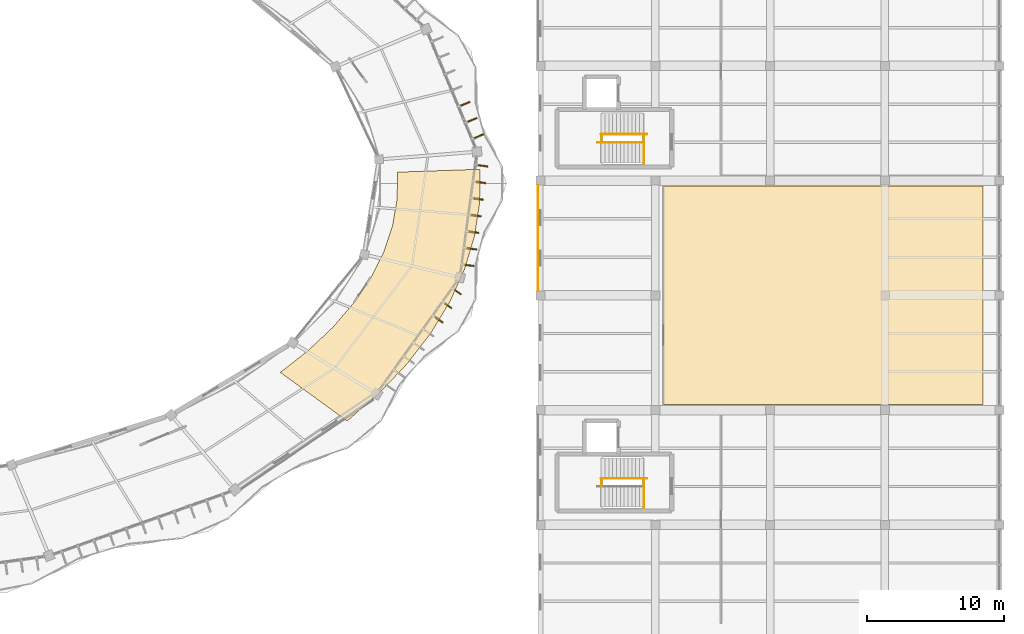
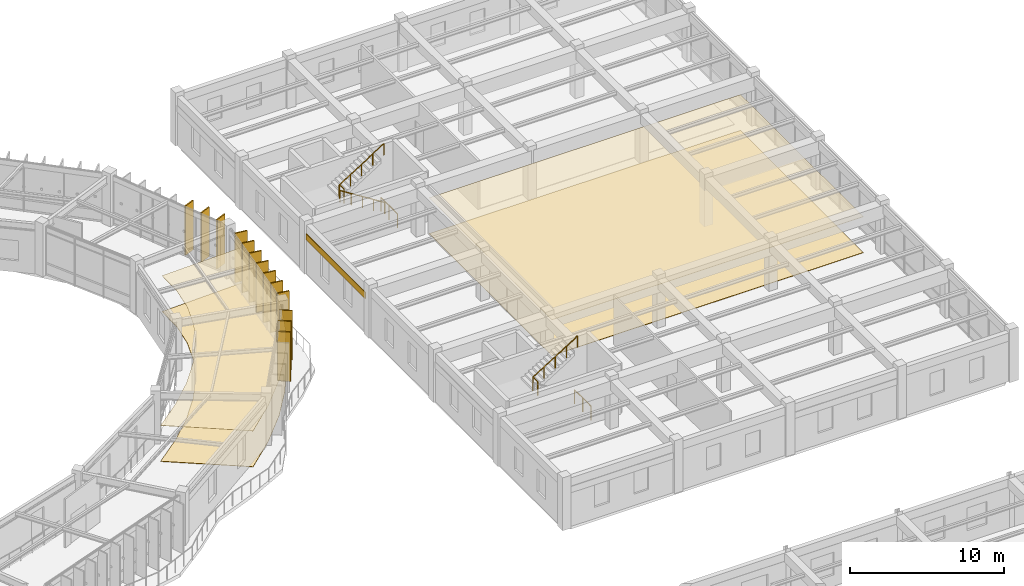
# One storey, part 137 of 138: 13 shading devices, 7 railings, 5 coverings.
"""IFC4 building model written with IfcOpenShell, lengths in metres."""

import ifcopenshell
import ifcopenshell.guid

model = None  # the IFC model being written
_history = None  # IfcOwnerHistory: only IFC2X3 demands one
_inside = {}  # id of a spatial element -> (the spatial element, [elements in it])
_under = {}  # id of a project, library or spatial element -> (it, [spatial elements below it])
_declared = {}  # id of a project -> (the project, [libraries it declares])
_typed = {}  # id of a type object -> (the type object, [elements of that type])
_made_of = {}  # id of a material, layer set ... -> (it, [elements and type objects made of it])


def new_model(schema):
    """Start an empty IFC model of exactly this schema.

    Asked for "IFC4X3", IfcOpenShell would pick the latest addendum, in which some entities
    have other attributes; the version numbers below select the first issue.
    IFC2X3 requires an IfcOwnerHistory on every rooted entity: one is made here for all.
    """
    global model, _history
    if schema == "IFC4X3":
        model = ifcopenshell.file(schema_version=(4, 3, 0, 0))
    else:
        model = ifcopenshell.file(schema=schema)
    _inside.clear()
    _under.clear()
    _declared.clear()
    _typed.clear()
    _made_of.clear()
    _history = None
    if model.schema == "IFC2X3":
        org = make("IfcOrganization", Name="unknown")
        user = make(
            "IfcPersonAndOrganization",
            ThePerson=make("IfcPerson", FamilyName="unknown"),
            TheOrganization=org,
        )
        app = make(
            "IfcApplication",
            ApplicationDeveloper=org,
            Version="unknown",
            ApplicationFullName="unknown",
            ApplicationIdentifier="unknown",
        )
        _history = make(
            "IfcOwnerHistory",
            OwningUser=user,
            OwningApplication=app,
            ChangeAction="ADDED",
            CreationDate=0,
        )
    return model


def make(cls, **values):
    """One entity of the class cls with the attributes given. An attribute that is None is left unset."""
    return model.create_entity(
        cls, **{name: value for name, value in values.items() if value is not None}
    )


def rooted(cls, **values):
    """An entity with a GlobalId (a new one), such as an element, a storey or a relation."""
    return make(cls, GlobalId=ifcopenshell.guid.new(), OwnerHistory=_history, **values)


def si_unit(unit_type, name, prefix=None):
    """IfcSIUnit, for example si_unit("LENGTHUNIT", "METRE", prefix="MILLI")."""
    return make("IfcSIUnit", UnitType=unit_type, Prefix=prefix, Name=name)


def assignment(units):
    """IfcUnitAssignment: the units of a project."""
    return None if units is None else make("IfcUnitAssignment", Units=units)


def point(xyz):
    """IfcCartesianPoint."""
    return None if xyz is None else make("IfcCartesianPoint", Coordinates=xyz)


def direction(xyz):
    """IfcDirection."""
    return None if xyz is None else make("IfcDirection", DirectionRatios=xyz)


def frame(location, z_axis=None, x_axis=None):
    """IfcAxis2Placement3D, a coordinate frame: its origin and axes. An axis left out is left unset."""
    return make(
        "IfcAxis2Placement3D",
        Location=point(location),
        Axis=direction(z_axis),
        RefDirection=direction(x_axis),
    )


def frame_2d(location, x_axis=None):
    """IfcAxis2Placement2D, a coordinate frame in the plane: its origin and x axis."""
    return make(
        "IfcAxis2Placement2D", Location=point(location), RefDirection=direction(x_axis)
    )


def origin():
    """The frame at (0, 0, 0) with its axes left unset."""
    return frame((0.0, 0.0, 0.0))


def origin_2d():
    """The frame at (0, 0) in the plane with its x axis left unset."""
    return frame_2d((0.0, 0.0))


def place(relative_to, where):
    """IfcLocalPlacement: puts the frame where relative to a parent placement (None: the world)."""
    return make(
        "IfcLocalPlacement", PlacementRelTo=relative_to, RelativePlacement=where
    )


def context(
    kind, dimensions, precision=None, world=None, true_north=None, identifier=None
):
    """IfcGeometricRepresentationContext, for example the 3D "Model" context."""
    return make(
        "IfcGeometricRepresentationContext",
        ContextIdentifier=identifier,
        ContextType=kind,
        CoordinateSpaceDimension=dimensions,
        Precision=precision,
        WorldCoordinateSystem=world,
        TrueNorth=true_north,
    )


def subcontext(parent, identifier, kind, view, scale=None):
    """IfcGeometricRepresentationSubContext, for example "Body" below "Model"."""
    return make(
        "IfcGeometricRepresentationSubContext",
        ContextIdentifier=identifier,
        ContextType=kind,
        ParentContext=parent,
        TargetScale=scale,
        TargetView=view,
    )


def project(units=None, contexts=None):
    """IfcProject with its units and contexts."""
    return rooted(
        "IfcProject",
        Name="project",
        RepresentationContexts=contexts,
        UnitsInContext=assignment(units),
    )


def spatial(cls, under=None, at=None, **own):
    """A site, building, storey or space (cls), placed at a placement, below another one or the project."""
    s = rooted(cls, ObjectPlacement=at, **own)
    if under is not None:
        _under.setdefault(under.id(), (under, []))[1].append(s)
    return s


def polyline(points):
    """IfcPolyline through the points."""
    return make("IfcPolyline", Points=[point(p) for p in points])


def profile(cls, at=None, kind="AREA", **sizes):
    """A parametric profile (cls). Its sizes go by their IFC names, for example OverallWidth=200.0."""
    return make(cls, ProfileType=kind, Position=at, **sizes)


def rectangle(**sizes):
    """IfcRectangleProfileDef."""
    return profile("IfcRectangleProfileDef", **sizes)


def circle(**sizes):
    """IfcCircleProfileDef."""
    return profile("IfcCircleProfileDef", **sizes)


def outline(outer, holes=None, kind="AREA"):
    """IfcArbitraryClosedProfileDef: a profile drawn as a closed curve; with holes, ...WithVoids."""
    if holes is None:
        return make("IfcArbitraryClosedProfileDef", ProfileType=kind, OuterCurve=outer)
    return make(
        "IfcArbitraryProfileDefWithVoids",
        ProfileType=kind,
        OuterCurve=outer,
        InnerCurves=holes,
    )


def extrude(swept, where, along, depth):
    """IfcExtrudedAreaSolid: the profile swept, set in the frame where, extruded along a direction by depth."""
    return make(
        "IfcExtrudedAreaSolid",
        SweptArea=swept,
        Position=where,
        ExtrudedDirection=direction(along),
        Depth=depth,
    )


def shape(context_of_items, identifier, shape_type, items):
    """IfcShapeRepresentation: the items that make up one representation, for example the "Body"."""
    return make(
        "IfcShapeRepresentation",
        ContextOfItems=context_of_items,
        RepresentationIdentifier=identifier,
        RepresentationType=shape_type,
        Items=items,
    )


def material(Name=None, Category=None):
    """IfcMaterial."""
    return make("IfcMaterial", Name=Name, Category=Category)


def layer(
    of_material, thickness, ventilated=None, Name=None, Category=None, Priority=None
):
    """IfcMaterialLayer: one layer of a wall or slab, of a material (None: an air gap)."""
    return make(
        "IfcMaterialLayer",
        Material=of_material,
        LayerThickness=thickness,
        IsVentilated=ventilated,
        Name=Name,
        Category=Category,
        Priority=Priority,
    )


def layer_set(layers, Name=None):
    """IfcMaterialLayerSet."""
    return make("IfcMaterialLayerSet", MaterialLayers=layers, LayerSetName=Name)


def made_of(thing, what):
    """Note that an element or type object is made of a material, layer set ...; save() writes the relation."""
    if what is not None:
        _made_of.setdefault(what.id(), (what, []))[1].append(thing)
    return thing


def type_object(cls, material=None, **own):
    """A type object (cls), such as IfcWallType, which elements share."""
    return made_of(rooted(cls, **own), material)


def element(
    cls,
    number,
    at=None,
    inside=None,
    cuts=None,
    type_object=None,
    material=None,
    context=None,
    identifier="Body",
    shape_type=None,
    held_by="IfcProductDefinitionShape",
    body=None,
    shapes=None,
    **own,
):
    """One element of the class cls, such as IfcWall. Its Tag is "e" and its number.

    at: its placement. inside: the storey or other place that contains it. cuts: it is an
    opening in that element (IfcRelVoidsElement). A single representation is given by context,
    identifier, shape_type and body (its items); several are given by shapes. held_by: the class
    of the entity that holds the representations. save() writes the other relations.
    """
    e = rooted(cls, Tag="e%d" % number, ObjectPlacement=at, **own)
    if body is not None:
        shapes = [shape(context, identifier, shape_type, body)]
    if shapes is not None:
        e.Representation = make(held_by, Representations=shapes)
    if inside is not None:
        _inside.setdefault(inside.id(), (inside, []))[1].append(e)
    if cuts is not None:
        rooted(
            "IfcRelVoidsElement", RelatingBuildingElement=cuts, RelatedOpeningElement=e
        )
    if type_object is not None:
        _typed.setdefault(type_object.id(), (type_object, []))[1].append(e)
    return made_of(e, material)


def aggregate(whole, parts):
    """IfcRelAggregates: a whole, such as a stair, and the parts it consists of."""
    return rooted("IfcRelAggregates", RelatingObject=whole, RelatedObjects=parts)


def save(model, path):
    """Write the relations noted so far, then the file.

    IfcRelAggregates (storeys below a building ...), IfcRelContainedInSpatialStructure (elements
    in a storey), IfcRelDefinesByType, IfcRelAssociatesMaterial and IfcRelDeclares: one each for
    every whole, place, type object, material and project.
    """
    for whole, parts in _under.values():
        aggregate(whole, parts)
    for where, things in _inside.values():
        rooted(
            "IfcRelContainedInSpatialStructure",
            RelatedElements=things,
            RelatingStructure=where,
        )
    for kind, things in _typed.values():
        rooted("IfcRelDefinesByType", RelatedObjects=things, RelatingType=kind)
    for what, things in _made_of.values():
        rooted("IfcRelAssociatesMaterial", RelatedObjects=things, RelatingMaterial=what)
    for by, libraries in _declared.values():
        rooted("IfcRelDeclares", RelatingContext=by, RelatedDefinitions=libraries)
    model.write(path)


model = new_model("IFC4")

# Units and contexts
model_context = context("Model", 3, precision=1e-05, world=origin(), true_north=direction((0.0, 1.0)))
body_context = subcontext(model_context, "Body", "Model", "MODEL_VIEW")
ifc_project = project(units=[si_unit("LENGTHUNIT", "METRE"), si_unit("AREAUNIT", "SQUARE_METRE"), si_unit("VOLUMEUNIT", "CUBIC_METRE"), si_unit("PLANEANGLEUNIT", "RADIAN"), si_unit("MASSUNIT", "GRAM", prefix="KILO"), si_unit("THERMODYNAMICTEMPERATUREUNIT", "KELVIN"), si_unit("POWERUNIT", "WATT")], contexts=[model_context])

# Site, building, storey
site_placement = place(None, origin())
site = spatial("IfcSite", under=ifc_project, at=site_placement, CompositionType="ELEMENT")
building_placement = place(site_placement, origin())
building = spatial("IfcBuilding", under=site, at=building_placement, Name="Darbajah Civic Hall", CompositionType="ELEMENT")
storey_placement = place(building_placement, frame((0.0, 0.0, 9.60009765625)))
storey = spatial("IfcBuildingStorey", under=building, at=storey_placement, Name="L02", CompositionType="ELEMENT", Elevation=9.60009765625)

# Railings
ifc_material_1 = material(Name="Brushed Bronze Stainless Steel", Category="steel")
railing_type_1 = type_object("IfcRailingType", Name="Brushed Bronze Handrail", PredefinedType="HANDRAIL", material=ifc_material_1)
railing_1_placement = place(storey_placement, frame((152.1201171875, 92.800048828125, 0.1748046875)))
element("IfcRailing", 1, at=railing_1_placement, inside=storey, type_object=railing_type_1, Name="ST08 L02 lower flight handrail", PredefinedType="HANDRAIL", context=body_context, shape_type="SweptSolid", body=[
    extrude(circle(Radius=0.02392578125, at=origin_2d()), frame((-0.023193359375, 0.0, 0.910400390625), z_axis=(-0.845944288966, 0.0, 0.533271281775), x_axis=(0.0, -1.0, 0.0)), (0.0, 0.0, 1.0), 3.91748046875),
    extrude(circle(Radius=0.02099609375, at=origin_2d()), origin(), (0.0, 0.0, 1.0), 0.867919921875),
    extrude(circle(Radius=0.02099609375, at=origin_2d()), frame((-0.840087890625, 0.0, 0.529541015625)), (0.0, 0.0, 1.0), 0.867919921875),
    extrude(circle(Radius=0.02099609375, at=origin_2d()), frame((-1.68017578125, 0.0, 1.05908203125)), (0.0, 0.0, 1.0), 0.867919921875),
    extrude(circle(Radius=0.02099609375, at=origin_2d()), frame((-2.52001953125, 0.0, 1.588623046875)), (0.0, 0.0, 1.0), 0.867919921875),
    extrude(circle(Radius=0.02099609375, at=origin_2d()), frame((-3.360107421875, 0.0, 2.1181640625)), (0.0, 0.0, 1.0), 0.867919921875),
])
for number, where, name in (
    (2, (149.0400390625, 93.39990234375, 2.27490234375), "ST08 L02 upper flight handrail"),
    (3, (149.0400390625, 68.199951171875, 2.27490234375), "ST09 L02 upper flight handrail"),
):
    element("IfcRailing", number, at=place(storey_placement, frame(where)), inside=storey, type_object=railing_type_1, Name=name, PredefinedType="HANDRAIL", context=body_context, shape_type="SweptSolid", body=[
        extrude(circle(Radius=0.02392578125, at=origin_2d()), frame((0.023193359375, 0.0, 0.910400390625), z_axis=(0.845926808262, 0.0, 0.533299010935), x_axis=(0.0, 1.0, 0.0)), (0.0, 0.0, 1.0), 3.917236328125),
        extrude(circle(Radius=0.02099609375, at=origin_2d()), origin(), (0.0, 0.0, 1.0), 0.867919921875),
        extrude(circle(Radius=0.02099609375, at=origin_2d()), frame((0.83984375, 0.0, 0.529541015625)), (0.0, 0.0, 1.0), 0.867919921875),
        extrude(circle(Radius=0.02099609375, at=origin_2d()), frame((1.679931640625, 0.0, 1.05908203125)), (0.0, 0.0, 1.0), 0.867919921875),
        extrude(circle(Radius=0.02099609375, at=origin_2d()), frame((2.52001953125, 0.0, 1.588623046875)), (0.0, 0.0, 1.0), 0.867919921875),
        extrude(circle(Radius=0.02099609375, at=origin_2d()), frame((3.35986328125, 0.0, 2.1181640625)), (0.0, 0.0, 1.0), 0.867919921875),
    ])

# Coverings
ifc_material_2 = material(Name="Honed Qatari Limestone Terrazzo", Category="masonry")
ifc_layer_1 = layer(ifc_material_2, 0.030029296875, Name="Honed Qatari Limestone Terrazzo")
ifc_layer_set_1 = layer_set([ifc_layer_1], Name="Honed Qatari Limestone Terrazzo")
covering_type_1 = type_object("IfcCoveringType", Name="Honed Qatari Limestone Terrazzo Flooring", PredefinedType="FLOORING", material=ifc_layer_set_1)
covering_1_placement = place(storey_placement, origin())
element("IfcCovering", 4, at=covering_1_placement, inside=storey, type_object=covering_type_1, Name="L02 stone terrazzo flooring L02-V1-02", PredefinedType="FLOORING", context=body_context, shape_type="SweptSolid", body=[
    extrude(outline(polyline([(130.44091796875, 72.401611328125), (132.785888671875, 74.4443359375), (134.8310546875, 76.592529296875), (136.562255859375, 78.83154296875), (137.96728515625, 81.145751953125), (139.03662109375, 83.51953125), (139.7626953125, 85.936279296875), (140.14111328125, 88.3798828125), (140.1689453125, 90.8330078125), (134.12255859375, 90.621826171875), (134.09814453125, 88.670166015625), (133.7646484375, 86.72607421875), (133.124267578125, 84.80322265625), (132.181396484375, 82.91455078125), (130.94287109375, 81.073486328125), (129.416748046875, 79.2919921875), (127.61376953125, 77.5830078125), (125.546142578125, 75.957763671875), (130.44091796875, 72.401611328125)])), origin(), (0.0, 0.0, 1.0), 0.02978515625),
])
covering_2_placement = place(storey_placement, origin())
element("IfcCovering", 5, at=covering_2_placement, inside=storey, type_object=covering_type_1, Name="L02 stone terrazzo flooring L02-V4-01", PredefinedType="FLOORING", context=body_context, shape_type="SweptSolid", body=[
    extrude(outline(polyline([(153.60009765625, 73.60009765625), (177.0, 73.60009765625), (177.0, 89.60009765625), (153.60009765625, 89.60009765625), (153.60009765625, 73.60009765625)])), origin(), (0.0, 0.0, 1.0), 0.02978515625),
])

# Railings
ifc_material_3 = material(Name="Brushed Bronze and Laminated Safety Glass", Category="glass")
railing_type_2 = type_object("IfcRailingType", Name="Interior Guard Balustrade", PredefinedType="BALUSTRADE", material=ifc_material_3)
railing_2_placement = place(storey_placement, frame((152.169921875, 91.25, 0.0)))
element("IfcRailing", 6, at=railing_2_placement, inside=storey, type_object=railing_type_2, Name="ST08 L02 stair-well edge guard", PredefinedType="BALUSTRADE", context=body_context, shape_type="SweptSolid", body=[
    extrude(circle(Radius=0.02392578125, at=origin_2d()), frame((0.0, 0.02734375, 1.09619140625), z_axis=(0.0, 1.0, 0.0), x_axis=(-1.0, 0.0, 0.0)), (0.0, 0.0, 1.0), 2.09521484375),
    extrude(circle(Radius=0.02099609375, at=origin_2d()), origin(), (0.0, 0.0, 1.0), 1.068115234375),
    extrude(circle(Radius=0.02099609375, at=origin_2d()), frame((0.0, 1.074951171875, 0.0)), (0.0, 0.0, 1.0), 1.068115234375),
    extrude(circle(Radius=0.02099609375, at=origin_2d()), frame((0.0, 2.14990234375, 0.0)), (0.0, 0.0, 1.0), 1.068115234375),
])
railing_3_placement = place(storey_placement, frame((149.06005859375, 92.800048828125, 2.099853515625)))
element("IfcRailing", 7, at=railing_3_placement, inside=storey, type_object=railing_type_2, Name="ST08 L02 landing well guard", PredefinedType="BALUSTRADE", context=body_context, shape_type="SweptSolid", body=[
    extrude(circle(Radius=0.02392578125, at=origin_2d()), frame((0.0, 0.02734375, 1.09619140625), z_axis=(0.0, 1.0, 0.0), x_axis=(-1.0, 0.0, 0.0)), (0.0, 0.0, 1.0), 0.545166015625),
    extrude(circle(Radius=0.02099609375, at=origin_2d()), origin(), (0.0, 0.0, 1.0), 1.068115234375),
    extrude(circle(Radius=0.02099609375, at=origin_2d()), frame((0.0, 0.599853515625, 0.0)), (0.0, 0.0, 1.0), 1.068115234375),
])
railing_4_placement = place(storey_placement, frame((152.169921875, 66.050048828125, 0.0)))
element("IfcRailing", 8, at=railing_4_placement, inside=storey, type_object=railing_type_2, Name="ST09 L02 stair-well edge guard", PredefinedType="BALUSTRADE", context=body_context, shape_type="SweptSolid", body=[
    extrude(circle(Radius=0.02392578125, at=origin_2d()), frame((0.0, 0.02734375, 1.09619140625), z_axis=(0.0, 1.0, 0.0), x_axis=(-1.0, 0.0, 0.0)), (0.0, 0.0, 1.0), 2.09521484375),
    extrude(circle(Radius=0.02099609375, at=origin_2d()), origin(), (0.0, 0.0, 1.0), 1.068115234375),
    extrude(circle(Radius=0.02099609375, at=origin_2d()), frame((0.0, 1.074951171875, 0.0)), (0.0, 0.0, 1.0), 1.068115234375),
    extrude(circle(Radius=0.02099609375, at=origin_2d()), frame((0.0, 2.14990234375, 0.0)), (0.0, 0.0, 1.0), 1.068115234375),
])
railing_5_placement = place(storey_placement, frame((149.06005859375, 67.60009765625, 2.099853515625)))
element("IfcRailing", 9, at=railing_5_placement, inside=storey, type_object=railing_type_2, Name="ST09 L02 landing well guard", PredefinedType="BALUSTRADE", context=body_context, shape_type="SweptSolid", body=[
    extrude(circle(Radius=0.02392578125, at=origin_2d()), frame((0.0, 0.02734375, 1.09619140625), z_axis=(0.0, 1.0, 0.0), x_axis=(-1.0, 0.0, 0.0)), (0.0, 0.0, 1.0), 0.545166015625),
    extrude(circle(Radius=0.02099609375, at=origin_2d()), origin(), (0.0, 0.0, 1.0), 1.068115234375),
    extrude(circle(Radius=0.02099609375, at=origin_2d()), frame((0.0, 0.599853515625, 0.0)), (0.0, 0.0, 1.0), 1.068115234375),
])

# Coverings
ifc_material_4 = material(Name="Qatari Desert Limestone Ashlar", Category="masonry")
ifc_layer_2 = layer(ifc_material_4, 0.044921875, Name="Qatari Desert Limestone Ashlar")
ifc_layer_set_2 = layer_set([ifc_layer_2], Name="Qatari Desert Limestone Ashlar")
covering_type_2 = type_object("IfcCoveringType", Name="Limestone Facade Cladding", PredefinedType="CLADDING", material=ifc_layer_set_2)
covering_3_placement = place(storey_placement, frame((0.0, 0.0, 2.7099609375)))
element("IfcCovering", 10, at=covering_3_placement, inside=storey, type_object=covering_type_2, Name="L02 stone frieze cladding EW-V4-L02-S3-B2", PredefinedType="CLADDING", context=body_context, shape_type="SweptSolid", body=[
    extrude(outline(polyline([(144.429931640625, 89.673095703125), (144.429931640625, 81.927001953125), (144.385009765625, 81.927001953125), (144.385009765625, 89.673095703125), (144.429931640625, 89.673095703125)])), origin(), (0.0, 0.0, 1.0), 0.5),
])
ifc_material_5 = material(Name="Perforated Acoustic Gypsum Board")
ifc_layer_3 = layer(ifc_material_5, 0.02490234375, Name="Perforated Acoustic Gypsum Board")
ifc_layer_set_3 = layer_set([ifc_layer_3], Name="Perforated Acoustic Gypsum Board")
covering_type_3 = type_object("IfcCoveringType", Name="Perforated Acoustic Gypsum Ceiling", PredefinedType="CEILING", material=ifc_layer_set_3)
covering_4_placement = place(storey_placement, frame((0.0, 0.0, 2.849853515625)))
element("IfcCovering", 11, at=covering_4_placement, inside=storey, type_object=covering_type_3, Name="L02 acoustic suspended ceiling L02-V1-02", PredefinedType="CEILING", context=body_context, shape_type="SweptSolid", body=[
    extrude(outline(polyline([(130.44091796875, 72.401611328125), (132.785888671875, 74.4443359375), (134.8310546875, 76.592529296875), (136.562255859375, 78.83154296875), (137.96728515625, 81.145751953125), (139.03662109375, 83.51953125), (139.7626953125, 85.936279296875), (140.14111328125, 88.3798828125), (140.1689453125, 90.8330078125), (134.12255859375, 90.621826171875), (134.09814453125, 88.670166015625), (133.7646484375, 86.72607421875), (133.124267578125, 84.80322265625), (132.181396484375, 82.91455078125), (130.94287109375, 81.073486328125), (129.416748046875, 79.2919921875), (127.61376953125, 77.5830078125), (125.546142578125, 75.957763671875), (130.44091796875, 72.401611328125)])), origin(), (0.0, 0.0, 1.0), 0.025146484375),
])
covering_5_placement = place(storey_placement, frame((0.0, 0.0, 2.849853515625)))
element("IfcCovering", 12, at=covering_5_placement, inside=storey, type_object=covering_type_3, Name="L02 acoustic suspended ceiling L02-V4-01", PredefinedType="CEILING", context=body_context, shape_type="SweptSolid", body=[
    extrude(outline(polyline([(153.60009765625, 73.60009765625), (177.0, 73.60009765625), (177.0, 89.60009765625), (153.60009765625, 89.60009765625), (153.60009765625, 73.60009765625)])), origin(), (0.0, 0.0, 1.0), 0.025146484375),
])

# Shading devices
ifc_material_6 = material(Name="Bronze Anodised Aluminium and Teak Composite", Category="aluminium")
shading_device_type = type_object("IfcShadingDeviceType", Name="Vertical Bronze Timber Shading Fin", PredefinedType="USERDEFINED", material=ifc_material_6)
for number, where, z_axis, x_axis, name in (
    (13, (140.036865234375, 93.231689453125, 0.0), (0.0, 0.0, 1.0), (0.923612143954, 0.383328328644, 0.0), "L02 vertical shading fin VF-00-1"),
    (14, (139.543212890625, 94.4208984375, 0.0), (0.0, 0.0, 1.0), (0.923612143954, 0.383328328644, 0.0), "L02 vertical shading fin VF-00-2"),
    (15, (139.023681640625, 95.599365234375, 0.0), (0.0, 0.0, 1.0), (0.923612143954, 0.383328328644, 0.0), "L02 vertical shading fin VF-00-3"),
    (16, (137.097412109375, 79.861083984375, 0.0), (0.0, 0.0, 1.0), (0.812999149039, -0.582264874145, 0.0), "L02 vertical shading fin VF-18-6"),
    (17, (137.733154296875, 80.909912109375, 0.0), (0.0, 0.0, 1.0), (0.812999149039, -0.582264874145, 0.0), "L02 vertical shading fin VF-18-7"),
    (18, (138.422119140625, 81.9208984375, 0.0), (0.0, 0.0, 1.0), (0.812999149039, -0.582264874145, 0.0), "L02 vertical shading fin VF-18-8"),
    (19, (139.274169921875, 83.807861328125, 0.0), (0.0, 0.0, 1.0), (0.990865897387, -0.134850930274, 0.0), "L02 vertical shading fin VF-19-1"),
    (20, (139.49658203125, 85.014892578125, 0.0), (0.0, 0.0, 1.0), (0.990865897387, -0.134850930274, 0.0), "L02 vertical shading fin VF-19-2"),
    (21, (139.661865234375, 86.229736328125, 0.0), (0.0, 0.0, 1.0), (0.990865897387, -0.134850930274, 0.0), "L02 vertical shading fin VF-19-3"),
    (22, (139.8271484375, 87.444580078125, 0.0), (0.0, 0.0, 1.0), (0.990865897387, -0.134850930274, 0.0), "L02 vertical shading fin VF-19-4"),
    (23, (139.992431640625, 88.6591796875, 0.0), (0.0, 0.0, 1.0), (0.990865897387, -0.134850930274, 0.0), "L02 vertical shading fin VF-19-5"),
    (24, (140.15771484375, 89.8740234375, 0.0), (0.0, 0.0, 1.0), (0.990865897387, -0.134850930274, 0.0), "L02 vertical shading fin VF-19-6"),
    (25, (140.322998046875, 91.0888671875, 0.0), (0.0, 0.0, 1.0), (0.990865897387, -0.134850930274, 0.0), "L02 vertical shading fin VF-19-7"),
):
    element("IfcShadingDevice", number, at=place(storey_placement, frame(where, z_axis=z_axis, x_axis=x_axis)), inside=storey, type_object=shading_device_type, Name=name, ObjectType="VERTICAL FIN", PredefinedType="USERDEFINED", context=body_context, shape_type="SweptSolid", body=[
        extrude(rectangle(XDim=0.85009765625, YDim=0.090087890625, at=origin_2d()), origin(), (0.0, 0.0, 1.0), 3.919921875),
    ])

save(model, "model.ifc")
